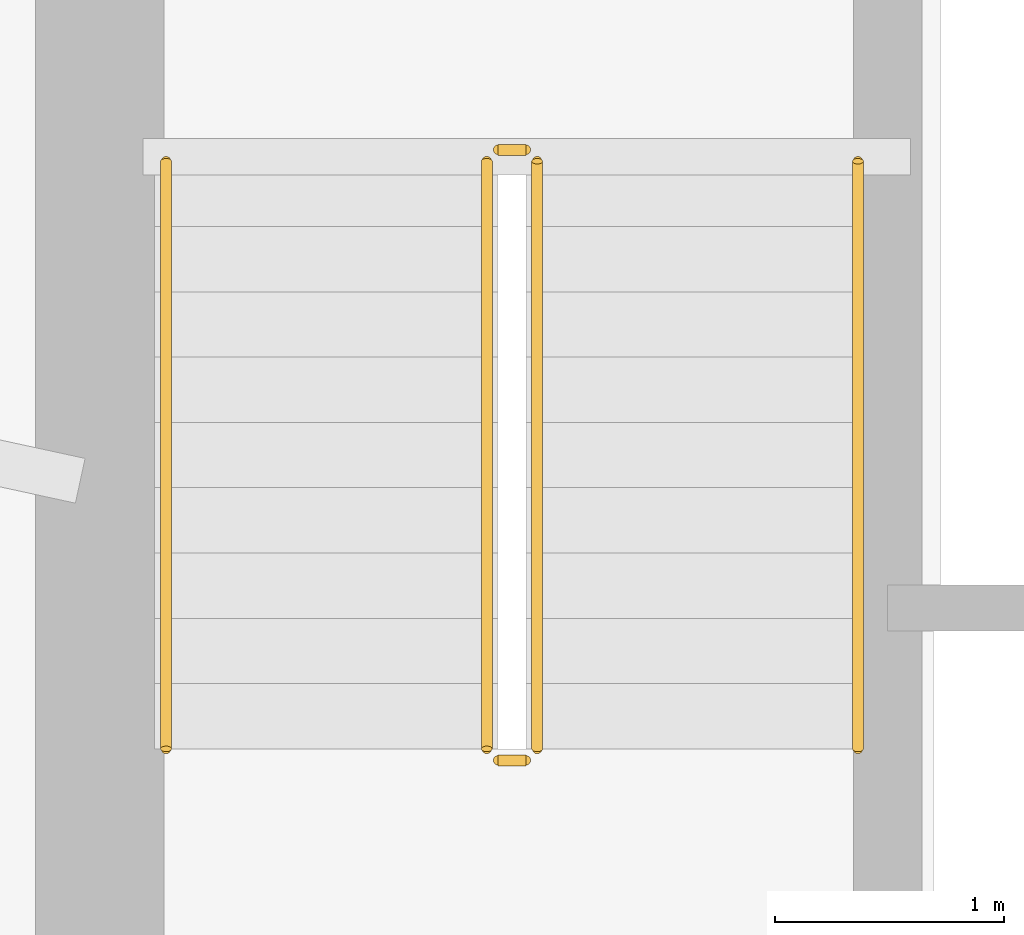
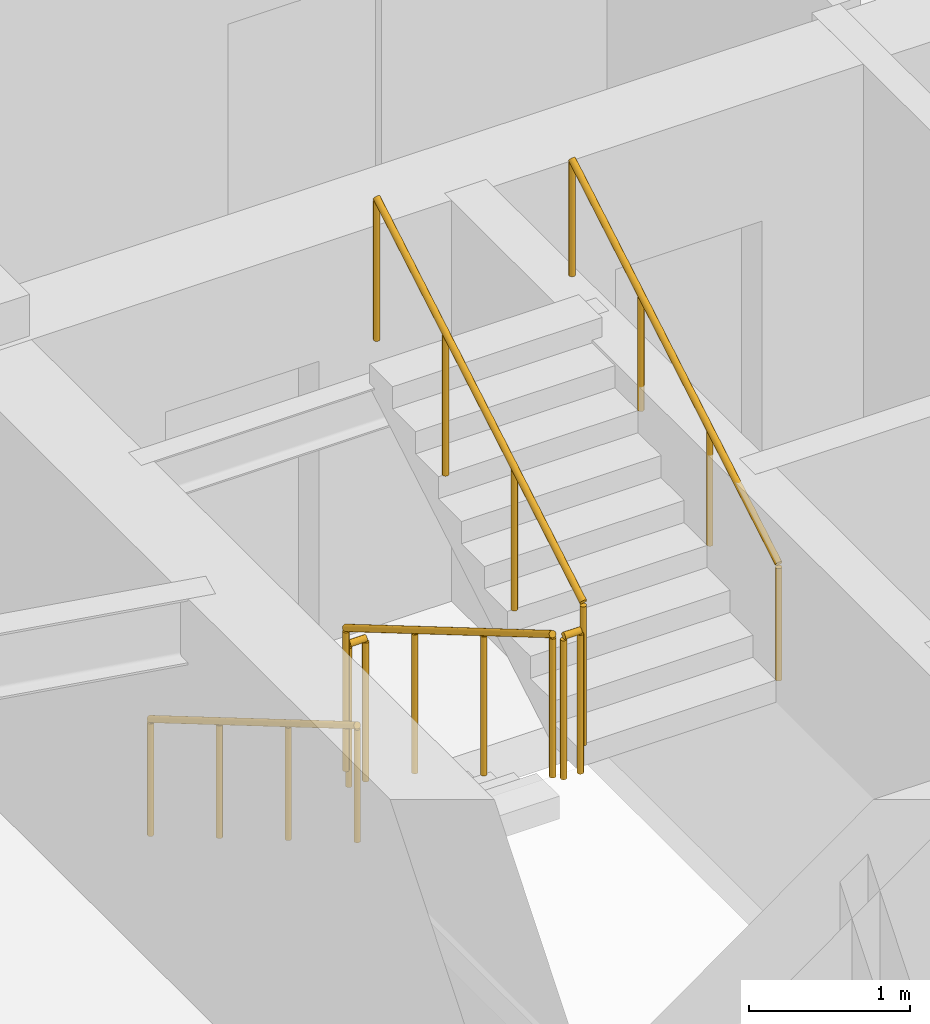
# One storey, part 20 of 21: 6 railings.
"""IFC4 building model written with IfcOpenShell, lengths in metres."""

import ifcopenshell
import ifcopenshell.guid

model = None  # the IFC model being written
_history = None  # IfcOwnerHistory: only IFC2X3 demands one
_inside = {}  # id of a spatial element -> (the spatial element, [elements in it])
_under = {}  # id of a project, library or spatial element -> (it, [spatial elements below it])
_declared = {}  # id of a project -> (the project, [libraries it declares])
_typed = {}  # id of a type object -> (the type object, [elements of that type])
_made_of = {}  # id of a material, layer set ... -> (it, [elements and type objects made of it])


def new_model(schema):
    """Start an empty IFC model of exactly this schema.

    Asked for "IFC4X3", IfcOpenShell would pick the latest addendum, in which some entities
    have other attributes; the version numbers below select the first issue.
    IFC2X3 requires an IfcOwnerHistory on every rooted entity: one is made here for all.
    """
    global model, _history
    if schema == "IFC4X3":
        model = ifcopenshell.file(schema_version=(4, 3, 0, 0))
    else:
        model = ifcopenshell.file(schema=schema)
    _inside.clear()
    _under.clear()
    _declared.clear()
    _typed.clear()
    _made_of.clear()
    _history = None
    if model.schema == "IFC2X3":
        org = make("IfcOrganization", Name="unknown")
        user = make(
            "IfcPersonAndOrganization",
            ThePerson=make("IfcPerson", FamilyName="unknown"),
            TheOrganization=org,
        )
        app = make(
            "IfcApplication",
            ApplicationDeveloper=org,
            Version="unknown",
            ApplicationFullName="unknown",
            ApplicationIdentifier="unknown",
        )
        _history = make(
            "IfcOwnerHistory",
            OwningUser=user,
            OwningApplication=app,
            ChangeAction="ADDED",
            CreationDate=0,
        )
    return model


def make(cls, **values):
    """One entity of the class cls with the attributes given. An attribute that is None is left unset."""
    return model.create_entity(
        cls, **{name: value for name, value in values.items() if value is not None}
    )


def rooted(cls, **values):
    """An entity with a GlobalId (a new one), such as an element, a storey or a relation."""
    return make(cls, GlobalId=ifcopenshell.guid.new(), OwnerHistory=_history, **values)


def si_unit(unit_type, name, prefix=None):
    """IfcSIUnit, for example si_unit("LENGTHUNIT", "METRE", prefix="MILLI")."""
    return make("IfcSIUnit", UnitType=unit_type, Prefix=prefix, Name=name)


def assignment(units):
    """IfcUnitAssignment: the units of a project."""
    return None if units is None else make("IfcUnitAssignment", Units=units)


def point(xyz):
    """IfcCartesianPoint."""
    return None if xyz is None else make("IfcCartesianPoint", Coordinates=xyz)


def direction(xyz):
    """IfcDirection."""
    return None if xyz is None else make("IfcDirection", DirectionRatios=xyz)


def frame(location, z_axis=None, x_axis=None):
    """IfcAxis2Placement3D, a coordinate frame: its origin and axes. An axis left out is left unset."""
    return make(
        "IfcAxis2Placement3D",
        Location=point(location),
        Axis=direction(z_axis),
        RefDirection=direction(x_axis),
    )


def frame_2d(location, x_axis=None):
    """IfcAxis2Placement2D, a coordinate frame in the plane: its origin and x axis."""
    return make(
        "IfcAxis2Placement2D", Location=point(location), RefDirection=direction(x_axis)
    )


def origin():
    """The frame at (0, 0, 0) with its axes left unset."""
    return frame((0.0, 0.0, 0.0))


def origin_2d():
    """The frame at (0, 0) in the plane with its x axis left unset."""
    return frame_2d((0.0, 0.0))


def place(relative_to, where):
    """IfcLocalPlacement: puts the frame where relative to a parent placement (None: the world)."""
    return make(
        "IfcLocalPlacement", PlacementRelTo=relative_to, RelativePlacement=where
    )


def context(
    kind, dimensions, precision=None, world=None, true_north=None, identifier=None
):
    """IfcGeometricRepresentationContext, for example the 3D "Model" context."""
    return make(
        "IfcGeometricRepresentationContext",
        ContextIdentifier=identifier,
        ContextType=kind,
        CoordinateSpaceDimension=dimensions,
        Precision=precision,
        WorldCoordinateSystem=world,
        TrueNorth=true_north,
    )


def subcontext(parent, identifier, kind, view, scale=None):
    """IfcGeometricRepresentationSubContext, for example "Body" below "Model"."""
    return make(
        "IfcGeometricRepresentationSubContext",
        ContextIdentifier=identifier,
        ContextType=kind,
        ParentContext=parent,
        TargetScale=scale,
        TargetView=view,
    )


def project(units=None, contexts=None):
    """IfcProject with its units and contexts."""
    return rooted(
        "IfcProject",
        Name="project",
        RepresentationContexts=contexts,
        UnitsInContext=assignment(units),
    )


def spatial(cls, under=None, at=None, **own):
    """A site, building, storey or space (cls), placed at a placement, below another one or the project."""
    s = rooted(cls, ObjectPlacement=at, **own)
    if under is not None:
        _under.setdefault(under.id(), (under, []))[1].append(s)
    return s


def profile(cls, at=None, kind="AREA", **sizes):
    """A parametric profile (cls). Its sizes go by their IFC names, for example OverallWidth=200.0."""
    return make(cls, ProfileType=kind, Position=at, **sizes)


def circle(**sizes):
    """IfcCircleProfileDef."""
    return profile("IfcCircleProfileDef", **sizes)


def extrude(swept, where, along, depth):
    """IfcExtrudedAreaSolid: the profile swept, set in the frame where, extruded along a direction by depth."""
    return make(
        "IfcExtrudedAreaSolid",
        SweptArea=swept,
        Position=where,
        ExtrudedDirection=direction(along),
        Depth=depth,
    )


def shape(context_of_items, identifier, shape_type, items):
    """IfcShapeRepresentation: the items that make up one representation, for example the "Body"."""
    return make(
        "IfcShapeRepresentation",
        ContextOfItems=context_of_items,
        RepresentationIdentifier=identifier,
        RepresentationType=shape_type,
        Items=items,
    )


def material(Name=None, Category=None):
    """IfcMaterial."""
    return make("IfcMaterial", Name=Name, Category=Category)


def made_of(thing, what):
    """Note that an element or type object is made of a material, layer set ...; save() writes the relation."""
    if what is not None:
        _made_of.setdefault(what.id(), (what, []))[1].append(thing)
    return thing


def type_object(cls, material=None, **own):
    """A type object (cls), such as IfcWallType, which elements share."""
    return made_of(rooted(cls, **own), material)


def element(
    cls,
    number,
    at=None,
    inside=None,
    cuts=None,
    type_object=None,
    material=None,
    context=None,
    identifier="Body",
    shape_type=None,
    held_by="IfcProductDefinitionShape",
    body=None,
    shapes=None,
    **own,
):
    """One element of the class cls, such as IfcWall. Its Tag is "e" and its number.

    at: its placement. inside: the storey or other place that contains it. cuts: it is an
    opening in that element (IfcRelVoidsElement). A single representation is given by context,
    identifier, shape_type and body (its items); several are given by shapes. held_by: the class
    of the entity that holds the representations. save() writes the other relations.
    """
    e = rooted(cls, Tag="e%d" % number, ObjectPlacement=at, **own)
    if body is not None:
        shapes = [shape(context, identifier, shape_type, body)]
    if shapes is not None:
        e.Representation = make(held_by, Representations=shapes)
    if inside is not None:
        _inside.setdefault(inside.id(), (inside, []))[1].append(e)
    if cuts is not None:
        rooted(
            "IfcRelVoidsElement", RelatingBuildingElement=cuts, RelatedOpeningElement=e
        )
    if type_object is not None:
        _typed.setdefault(type_object.id(), (type_object, []))[1].append(e)
    return made_of(e, material)


def aggregate(whole, parts):
    """IfcRelAggregates: a whole, such as a stair, and the parts it consists of."""
    return rooted("IfcRelAggregates", RelatingObject=whole, RelatedObjects=parts)


def save(model, path):
    """Write the relations noted so far, then the file.

    IfcRelAggregates (storeys below a building ...), IfcRelContainedInSpatialStructure (elements
    in a storey), IfcRelDefinesByType, IfcRelAssociatesMaterial and IfcRelDeclares: one each for
    every whole, place, type object, material and project.
    """
    for whole, parts in _under.values():
        aggregate(whole, parts)
    for where, things in _inside.values():
        rooted(
            "IfcRelContainedInSpatialStructure",
            RelatedElements=things,
            RelatingStructure=where,
        )
    for kind, things in _typed.values():
        rooted("IfcRelDefinesByType", RelatedObjects=things, RelatingType=kind)
    for what, things in _made_of.values():
        rooted("IfcRelAssociatesMaterial", RelatedObjects=things, RelatingMaterial=what)
    for by, libraries in _declared.values():
        rooted("IfcRelDeclares", RelatingContext=by, RelatedDefinitions=libraries)
    model.write(path)


model = new_model("IFC4")

# Units and contexts
model_context = context("Model", 3, precision=1e-05, world=origin(), true_north=direction((0.0, 1.0)))
body_context = subcontext(model_context, "Body", "Model", "MODEL_VIEW")
ifc_project = project(units=[si_unit("LENGTHUNIT", "METRE"), si_unit("AREAUNIT", "SQUARE_METRE"), si_unit("VOLUMEUNIT", "CUBIC_METRE"), si_unit("PLANEANGLEUNIT", "RADIAN"), si_unit("MASSUNIT", "GRAM", prefix="KILO")], contexts=[model_context])

# Site, building, storey
site_placement = place(None, origin())
site = spatial("IfcSite", under=ifc_project, at=site_placement, CompositionType="ELEMENT")
building_placement = place(site_placement, origin())
building = spatial("IfcBuilding", under=site, at=building_placement, Name="Qobustan Lattice House", CompositionType="ELEMENT")
storey_placement = place(building_placement, frame((0.0, 0.0, 57.14990234375)))
storey = spatial("IfcBuildingStorey", under=building, at=storey_placement, Name="L15", CompositionType="ELEMENT", Elevation=57.14990234375)

# Railings
ifc_material_1 = material(Name="Brushed stainless steel handrail", Category="steel")
railing_type_1 = type_object("IfcRailingType", Name="RAL-HR-920", PredefinedType="HANDRAIL", material=ifc_material_1)
railing_1_placement = place(storey_placement, frame((-18.199951171875, 3.5, 0.16748046875)))
element("IfcRailing", 1, at=railing_1_placement, inside=storey, type_object=railing_type_1, Name="L15 ST-W1 stair handrail 1", PredefinedType="HANDRAIL", context=body_context, shape_type="SweptSolid", body=[
    extrude(circle(Radius=0.02392578125, at=origin_2d()), frame((0.0, 0.0, 0.8759765625), z_axis=(0.0, -0.862113467892, 0.50671527358), x_axis=(1.0, 0.0, 0.0)), (0.0, 0.0, 1.0), 2.97509765625),
    extrude(circle(Radius=0.02099609375, at=origin_2d()), origin(), (0.0, 0.0, 1.0), 0.851806640625),
    extrude(circle(Radius=0.02099609375, at=origin_2d()), frame((0.0, -0.85498046875, 0.50244140625)), (0.0, 0.0, 1.0), 0.851806640625),
    extrude(circle(Radius=0.02099609375, at=origin_2d()), frame((0.0, -1.7099609375, 1.005126953125)), (0.0, 0.0, 1.0), 0.851806640625),
    extrude(circle(Radius=0.02099609375, at=origin_2d()), frame((0.0, -2.56494140625, 1.507568359375)), (0.0, 0.0, 1.0), 0.851806640625),
])
railing_2_placement = place(storey_placement, frame((-15.179931640625, 0.93505859375, 1.842529296875)))
element("IfcRailing", 2, at=railing_2_placement, inside=storey, type_object=railing_type_1, Name="L15 ST-W1 stair handrail 2", PredefinedType="HANDRAIL", context=body_context, shape_type="SweptSolid", body=[
    extrude(circle(Radius=0.02392578125, at=origin_2d()), frame((0.0, 0.0, 0.8759765625), z_axis=(0.0, 0.862113467892, 0.50671527358), x_axis=(-1.0, 0.0, 0.0)), (0.0, 0.0, 1.0), 2.97509765625),
    extrude(circle(Radius=0.02099609375, at=origin_2d()), origin(), (0.0, 0.0, 1.0), 0.851806640625),
    extrude(circle(Radius=0.02099609375, at=origin_2d()), frame((0.0, 0.85498046875, 0.50244140625)), (0.0, 0.0, 1.0), 0.851806640625),
    extrude(circle(Radius=0.02099609375, at=origin_2d()), frame((0.0, 1.7099609375, 1.005126953125)), (0.0, 0.0, 1.0), 0.851806640625),
    extrude(circle(Radius=0.02099609375, at=origin_2d()), frame((0.0, 2.56494140625, 1.507568359375)), (0.0, 0.0, 1.0), 0.851806640625),
])
ifc_material_2 = material(Name="Painted galvanized steel guardrail", Category="steel")
railing_type_2 = type_object("IfcRailingType", Name="RAL-STG-1150", PredefinedType="GUARDRAIL", material=ifc_material_2)
railing_3_placement = place(storey_placement, frame((-16.800048828125, 3.5, 0.16748046875)))
element("IfcRailing", 3, at=railing_3_placement, inside=storey, type_object=railing_type_2, Name="L15 ST-W1 stair guard 1", PredefinedType="GUARDRAIL", context=body_context, shape_type="SweptSolid", body=[
    extrude(circle(Radius=0.02392578125, at=origin_2d()), frame((0.0, 0.0, 1.076171875), z_axis=(0.0, -0.862113467892, 0.50671527358), x_axis=(1.0, 0.0, 0.0)), (0.0, 0.0, 1.0), 2.97509765625),
    extrude(circle(Radius=0.02099609375, at=origin_2d()), origin(), (0.0, 0.0, 1.0), 1.052001953125),
    extrude(circle(Radius=0.02099609375, at=origin_2d()), frame((0.0, -0.85498046875, 0.50244140625)), (0.0, 0.0, 1.0), 1.052001953125),
    extrude(circle(Radius=0.02099609375, at=origin_2d()), frame((0.0, -1.7099609375, 1.005126953125)), (0.0, 0.0, 1.0), 1.052001953125),
    extrude(circle(Radius=0.02099609375, at=origin_2d()), frame((0.0, -2.56494140625, 1.507568359375)), (0.0, 0.0, 1.0), 1.052001953125),
])
railing_4_placement = place(storey_placement, frame((-16.75, 0.885009765625, 1.675048828125)))
element("IfcRailing", 4, at=railing_4_placement, inside=storey, type_object=railing_type_2, Name="L15 ST-W1 stair guard 2", PredefinedType="GUARDRAIL", context=body_context, shape_type="SweptSolid", body=[
    extrude(circle(Radius=0.02392578125, at=origin_2d()), frame((0.0, 0.0, 1.076171875), z_axis=(1.0, 0.0, 0.0), x_axis=(0.0, 1.0, 0.0)), (0.0, 0.0, 1.0), 0.1201171875),
    extrude(circle(Radius=0.02099609375, at=origin_2d()), origin(), (0.0, 0.0, 1.0), 1.052001953125),
    extrude(circle(Radius=0.02099609375, at=origin_2d()), frame((0.1201171875, 0.0, 0.0)), (0.0, 0.0, 1.0), 1.052001953125),
])
railing_5_placement = place(storey_placement, frame((-16.580078125, 0.93505859375, 1.842529296875)))
element("IfcRailing", 5, at=railing_5_placement, inside=storey, type_object=railing_type_2, Name="L15 ST-W1 stair guard 3", PredefinedType="GUARDRAIL", context=body_context, shape_type="SweptSolid", body=[
    extrude(circle(Radius=0.02392578125, at=origin_2d()), frame((0.0, 0.0, 1.076171875), z_axis=(0.0, 0.862113467892, 0.50671527358), x_axis=(-1.0, 0.0, 0.0)), (0.0, 0.0, 1.0), 2.97509765625),
    extrude(circle(Radius=0.02099609375, at=origin_2d()), origin(), (0.0, 0.0, 1.0), 1.052001953125),
    extrude(circle(Radius=0.02099609375, at=origin_2d()), frame((0.0, 0.85498046875, 0.50244140625)), (0.0, 0.0, 1.0), 1.052001953125),
    extrude(circle(Radius=0.02099609375, at=origin_2d()), frame((0.0, 1.7099609375, 1.005126953125)), (0.0, 0.0, 1.0), 1.052001953125),
    extrude(circle(Radius=0.02099609375, at=origin_2d()), frame((0.0, 2.56494140625, 1.507568359375)), (0.0, 0.0, 1.0), 1.052001953125),
])
railing_6_placement = place(storey_placement, frame((-16.75, 3.550048828125, 0.0)))
element("IfcRailing", 6, at=railing_6_placement, inside=storey, type_object=railing_type_2, Name="L15 ST-W1 stair guard 4", PredefinedType="GUARDRAIL", context=body_context, shape_type="SweptSolid", body=[
    extrude(circle(Radius=0.02392578125, at=origin_2d()), frame((0.0, 0.0, 1.076171875), z_axis=(1.0, 0.0, 0.0), x_axis=(0.0, 1.0, 0.0)), (0.0, 0.0, 1.0), 0.1201171875),
    extrude(circle(Radius=0.02099609375, at=origin_2d()), origin(), (0.0, 0.0, 1.0), 1.052001953125),
    extrude(circle(Radius=0.02099609375, at=origin_2d()), frame((0.1201171875, 0.0, 0.0)), (0.0, 0.0, 1.0), 1.052001953125),
])

save(model, "model.ifc")
